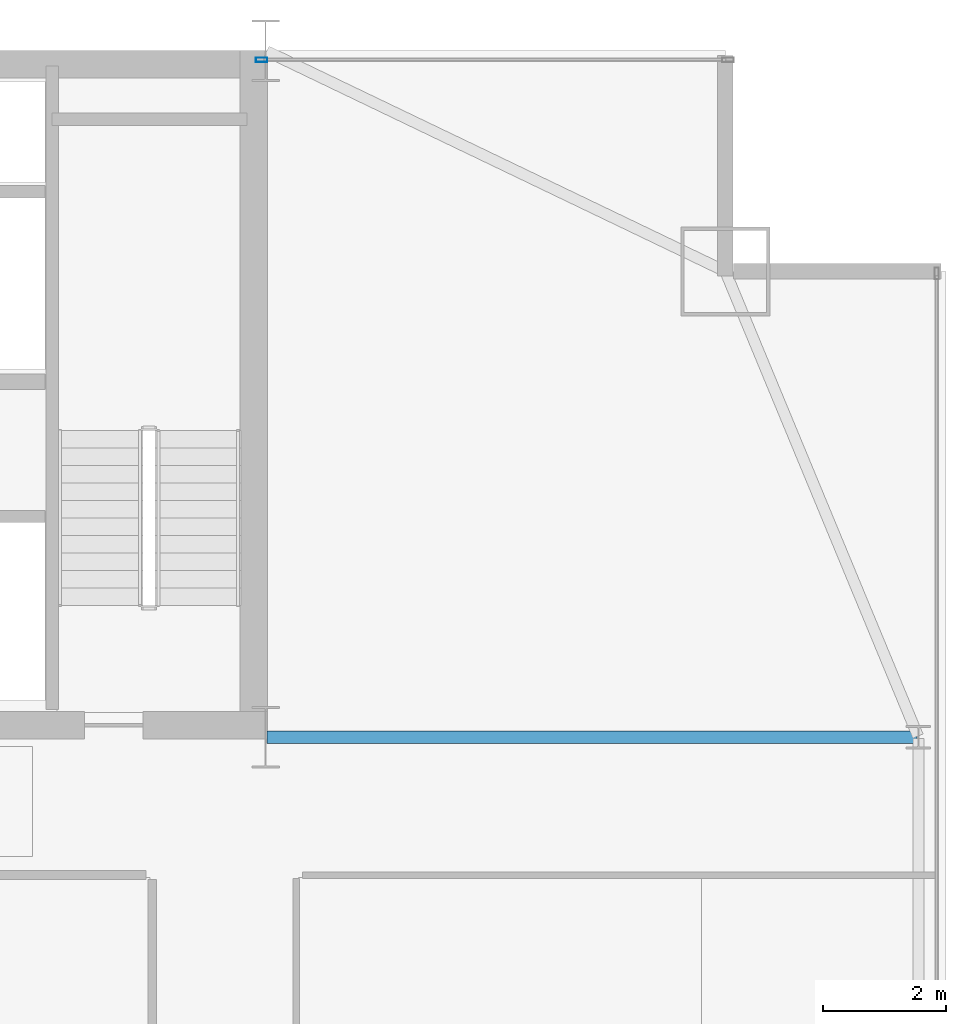
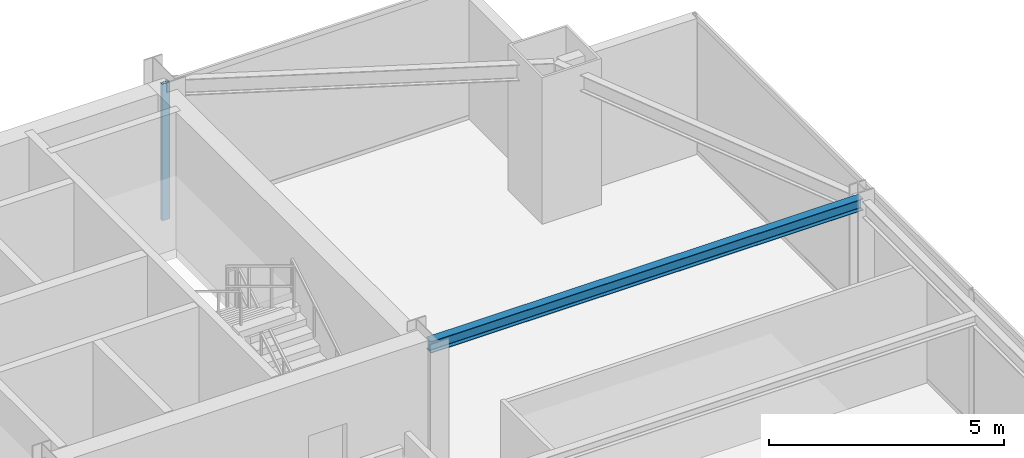
# One storey, part 24 of 37: 1 beam, 1 member, 1 element without a shape of its own.
"""IFC4 building model written with IfcOpenShell, lengths in metres."""

from ifc_helpers import new_model, si_unit, direction, frame, origin, origin_2d, place, context, subcontext, project, spatial, hollow_rectangle, i_section, extrude, source, transform, mapped, material, layer, layer_set, material_profile, profile_set, type_object, type_shapes, element, aggregate, save


model = new_model("IFC4")

# Units and contexts
model_context = context("Model", 3, precision=1e-05, world=origin(), true_north=direction((0.0, 1.0)))
body_context = subcontext(model_context, "Body", "Model", "MODEL_VIEW")
ifc_project = project(units=[si_unit("LENGTHUNIT", "METRE"), si_unit("AREAUNIT", "SQUARE_METRE"), si_unit("VOLUMEUNIT", "CUBIC_METRE"), si_unit("PLANEANGLEUNIT", "RADIAN"), si_unit("MASSUNIT", "GRAM", prefix="KILO")], contexts=[model_context])

# Site, building, storey
site_placement = place(None, origin())
site = spatial("IfcSite", under=ifc_project, at=site_placement, CompositionType="ELEMENT")
building_placement = place(site_placement, origin())
building = spatial("IfcBuilding", under=site, at=building_placement, Name="Varnel Quay Broadcast Tower", CompositionType="ELEMENT")
storey_placement = place(building_placement, frame((0.0, 0.0, 106.800048828125)))
storey = spatial("IfcBuildingStorey", under=building, at=storey_placement, Name="L25", CompositionType="ELEMENT", Elevation=106.800048828125)

# Beam
ifc_material_1 = material(Name="Structural Steel CSA G40.21 350W", Category="steel")
ifc_material_profile_1 = material_profile(ifc_material_1, i_section(OverallWidth=0.202880859375, OverallDepth=0.302978515625, WebThickness=0.007568359375, FlangeThickness=0.01318359375, FilletRadius=0.011962890625, at=origin_2d()), Name="W310X60")
ifc_profile_set_1 = profile_set([ifc_material_profile_1], Name="Structural Steel CSA G40.21 350W")
beam_type = type_object("IfcBeamType", Name="Beam_W310X60", PredefinedType="JOIST", material=ifc_profile_set_1)
shared_shape_1 = source(origin(), body_context, "Body", "SweptSolid", [
    extrude(i_section(OverallWidth=0.202880859375, OverallDepth=0.302978515625, WebThickness=0.007568359375, FlangeThickness=0.01318359375, FilletRadius=0.011962890625, at=origin_2d()), origin(), (0.0, 0.0, 1.0), 10.610107421875),
])
type_shapes(beam_type, [shared_shape_1])
beam_placement = place(storey_placement, frame((52.419921875, 35.60009765625, 3.3984375), z_axis=(1.0, 0.0, 0.0), x_axis=(0.0, 1.0, 0.0)))
element("IfcBeam", 1, at=beam_placement, inside=storey, type_object=beam_type, Name="L25 East Core Tie Joist", PredefinedType="JOIST", context=body_context, shape_type="MappedRepresentation", body=[
    mapped(shared_shape_1, transform((0.0, 0.0, 0.0), x_axis=(1.0, 0.0, 0.0), y_axis=(0.0, 1.0, 0.0), z_axis=(0.0, 0.0, 1.0), scale=1.0)),
])

# Curtain wall, member
ifc_material_2 = material(Name="Anodised Bronze Aluminium 6063-T6", Category="aluminium")
ifc_layer = layer(ifc_material_2, 0.18994140625, Name="Anodised Bronze Aluminium 6063-T6")
ifc_layer_set = layer_set([ifc_layer], Name="Anodised Bronze Aluminium 6063-T6")
curtain_wall_type = type_object("IfcCurtainWallType", Name="CW_LowerTower", PredefinedType="NOTDEFINED", material=ifc_layer_set)
curtain_wall_placement = place(storey_placement, origin())
curtain_wall = element("IfcCurtainWall", 2, at=curtain_wall_placement, inside=storey, type_object=curtain_wall_type, Name="L25 NE Wing Curtain Wall", PredefinedType="NOTDEFINED")
ifc_material_profile_2 = material_profile(ifc_material_2, hollow_rectangle(XDim=0.070068359375, YDim=0.18994140625, WallThickness=0.00390625, at=origin_2d()), Name="ALU70X190X4")
ifc_profile_set_2 = profile_set([ifc_material_profile_2], Name="Anodised Bronze Aluminium 6063-T6")
member_type = type_object("IfcMemberType", Name="Mull_CWS-02", PredefinedType="MULLION", material=ifc_profile_set_2)
shared_shape_2 = source(origin(), body_context, "Body", "SweptSolid", [
    extrude(hollow_rectangle(XDim=0.070068359375, YDim=0.18994140625, WallThickness=0.00390625, at=origin_2d()), origin(), (0.0, 0.0, 1.0), 3.550048828125),
])
type_shapes(member_type, [shared_shape_2])
member_placement = place(storey_placement, frame((52.3349609375, 46.64990234375, 0.0), z_axis=(0.0, 0.0, 1.0), x_axis=(0.0, 1.0, 0.0)))
member = element("IfcMember", 3, at=member_placement, type_object=member_type, Name="CWS-02 mullion 1", PredefinedType="MULLION", context=body_context, shape_type="MappedRepresentation", body=[
    mapped(shared_shape_2, transform((0.0, 0.0, 0.0), x_axis=(1.0, 0.0, 0.0), y_axis=(0.0, 1.0, 0.0), z_axis=(0.0, 0.0, 1.0), scale=1.0)),
])
aggregate(curtain_wall, [member])

save(model, "model.ifc")
